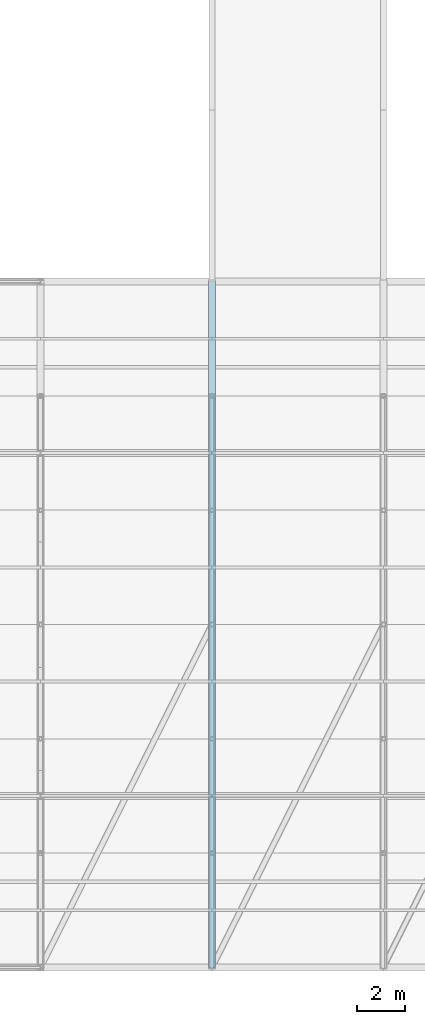
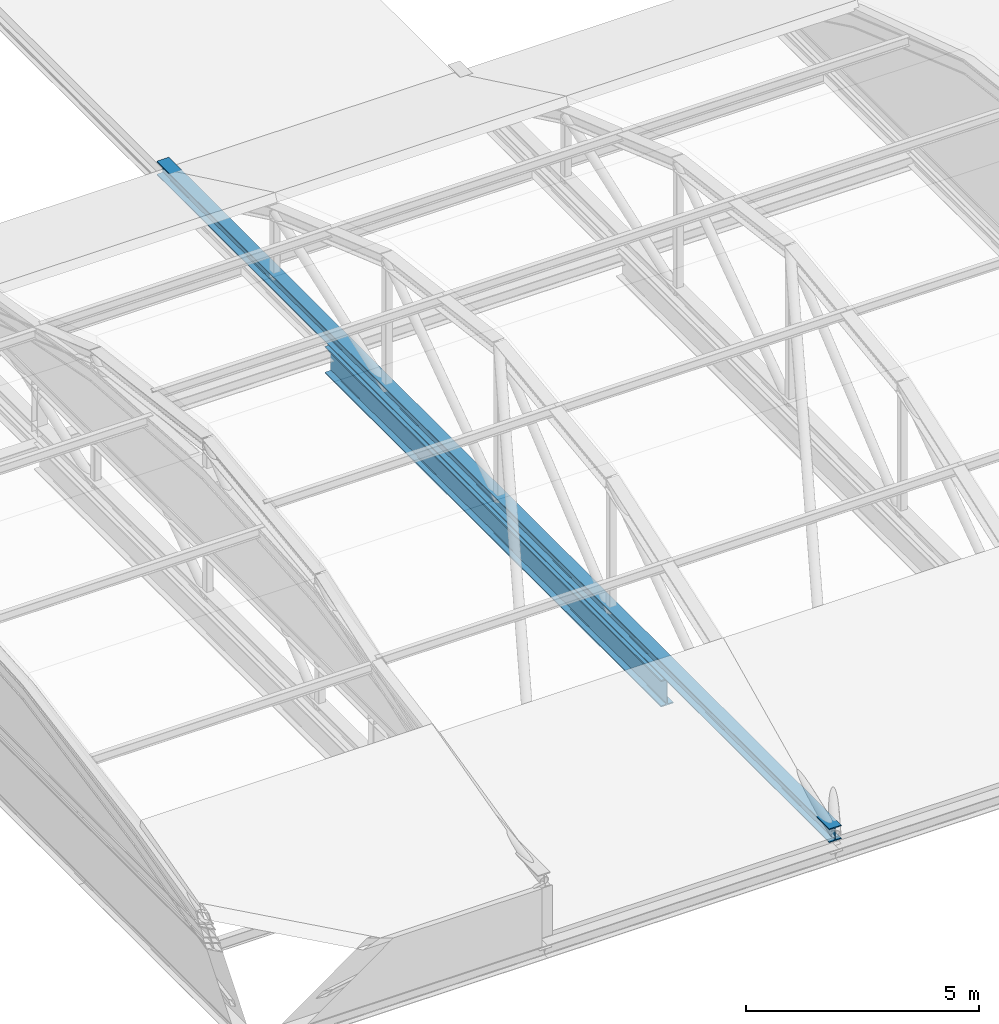
# One storey, part 20 of 103: 1 beam, 1 member.
"""IFC4 building model written with IfcOpenShell, lengths in metres."""

from ifc_helpers import new_model, si_unit, direction, frame, origin, origin_2d, place, context, subcontext, project, spatial, i_section, extrude, material, material_profile, profile_set, type_object, element, save


model = new_model("IFC4")

# Units and contexts
model_context = context("Model", 3, precision=1e-05, world=origin(), true_north=direction((0.0, 1.0)))
body_context = subcontext(model_context, "Body", "Model", "MODEL_VIEW")
ifc_project = project(units=[si_unit("LENGTHUNIT", "METRE"), si_unit("AREAUNIT", "SQUARE_METRE"), si_unit("VOLUMEUNIT", "CUBIC_METRE"), si_unit("PLANEANGLEUNIT", "RADIAN"), si_unit("MASSUNIT", "GRAM", prefix="KILO")], contexts=[model_context])

# Site, building, storey
site_placement = place(None, origin())
site = spatial("IfcSite", under=ifc_project, at=site_placement, CompositionType="ELEMENT")
building_placement = place(site_placement, origin())
building = spatial("IfcBuilding", under=site, at=building_placement, Name="Zlatovets Crest Museum", CompositionType="ELEMENT")
storey_placement = place(building_placement, frame((0.0, 0.0, 12.89990234375)))
storey = spatial("IfcBuildingStorey", under=building, at=storey_placement, Name="L03", CompositionType="ELEMENT", Elevation=12.89990234375)

# Beam
ifc_material = material(Name="Structural steel S355J2", Category="steel")
ifc_material_profile_1 = material_profile(ifc_material, i_section(OverallWidth=0.300048828125, OverallDepth=0.699951171875, WebThickness=0.01708984375, FlangeThickness=0.031982421875, FilletRadius=0.027099609375, at=origin_2d()), Name="HEB 700")
ifc_profile_set_1 = profile_set([ifc_material_profile_1], Name="Structural steel S355J2")
beam_type = type_object("IfcBeamType", Name="Beam_B-08", PredefinedType="BEAM", material=ifc_profile_set_1)
beam_placement = place(storey_placement, frame((14.39990234375, 7.199951171875, -0.56982421875), z_axis=(0.0, 1.0, 0.0), x_axis=(-1.0, 0.0, 0.0)))
element("IfcBeam", 1, at=beam_placement, inside=storey, type_object=beam_type, Name="V3 L03 Grid Beam B-08", PredefinedType="BEAM", context=body_context, shape_type="SweptSolid", body=[
    extrude(i_section(OverallWidth=0.300048828125, OverallDepth=0.699951171875, WebThickness=0.01708984375, FlangeThickness=0.031982421875, FilletRadius=0.027099609375, at=origin_2d()), origin(), (0.0, 0.0, 1.0), 14.400146484375),
])

# Member
ifc_material_profile_2 = material_profile(ifc_material, i_section(OverallWidth=0.300048828125, OverallDepth=0.360107421875, WebThickness=0.012451171875, FlangeThickness=0.0224609375, FilletRadius=0.027099609375, at=origin_2d()), Name="HEB 360")
ifc_profile_set_2 = profile_set([ifc_material_profile_2], Name="Structural steel S355J2")
member_type = type_object("IfcMemberType", Name="Member_TM-01", PredefinedType="CHORD", material=ifc_profile_set_2)
member_placement = place(storey_placement, frame((14.39990234375, 0.0, 0.080078125), z_axis=(0.0, 1.0, 0.0), x_axis=(-1.0, 0.0, 0.0)))
element("IfcMember", 2, at=member_placement, inside=storey, type_object=member_type, Name="V3 Art Nouveau Barrel Vault Tie Chord", PredefinedType="CHORD", context=body_context, shape_type="SweptSolid", body=[
    extrude(i_section(OverallWidth=0.300048828125, OverallDepth=0.360107421875, WebThickness=0.012451171875, FlangeThickness=0.0224609375, FilletRadius=0.027099609375, at=origin_2d()), origin(), (0.0, 0.0, 1.0), 28.800048828125),
])

save(model, "model.ifc")
